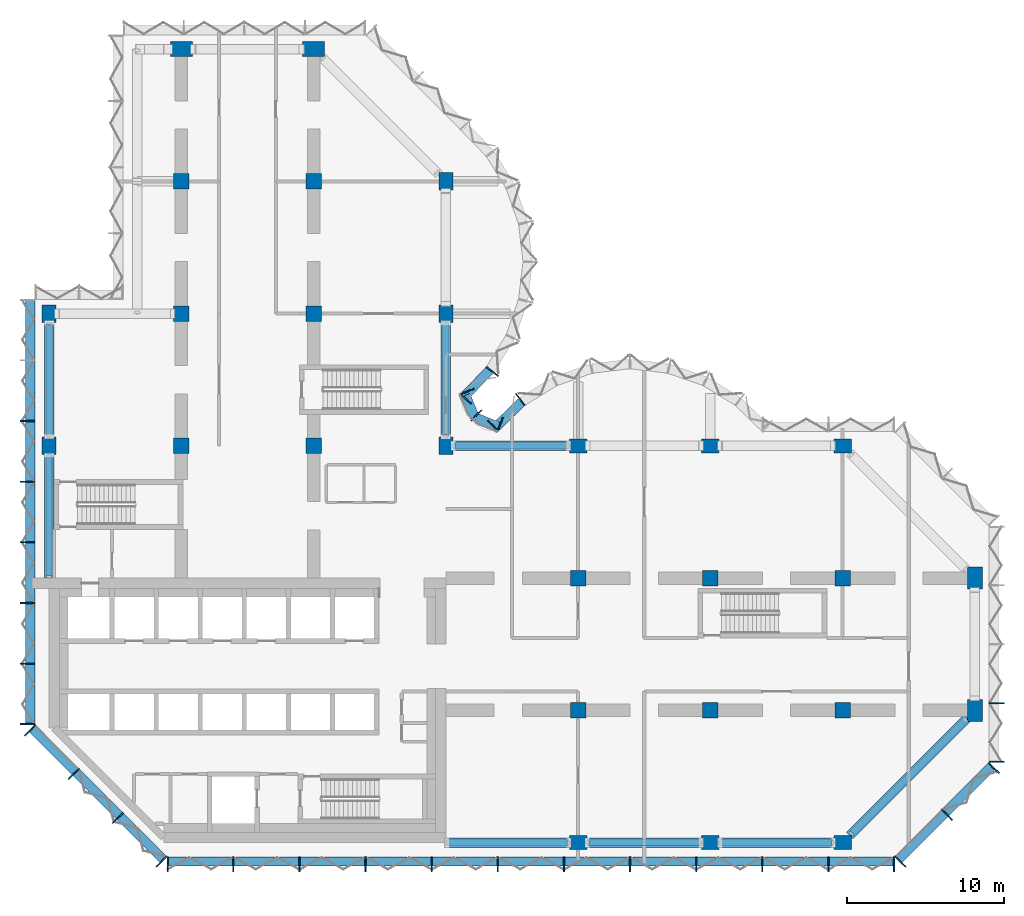
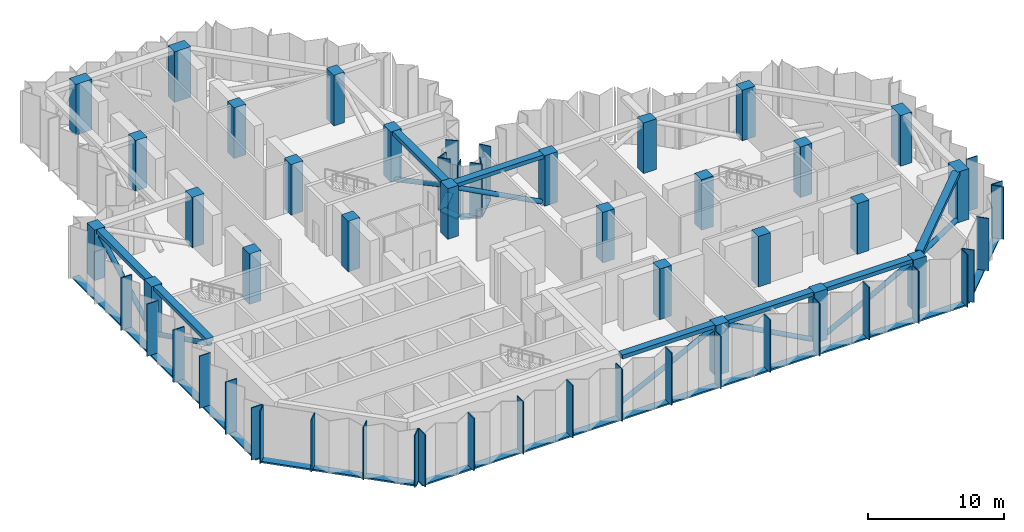
# One storey, part 1 of 13: 50 members, 27 columns, 8 beams, 8 elements without a shape of their own.
"""IFC4 building model written with IfcOpenShell, lengths in metres."""

from ifc_helpers import new_model, si_unit, direction, frame, origin, origin_2d, place, context, subcontext, project, spatial, rectangle, hollow_circle, extrude, material, material_profile, profile_set, type_object, element, aggregate, save


model = new_model("IFC4")

# Units and contexts
model_context = context("Model", 3, precision=1e-05, world=origin(), true_north=direction((0.0, 1.0)))
body_context = subcontext(model_context, "Body", "Model", "MODEL_VIEW")
ifc_project = project(units=[si_unit("LENGTHUNIT", "METRE"), si_unit("AREAUNIT", "SQUARE_METRE"), si_unit("VOLUMEUNIT", "CUBIC_METRE"), si_unit("PLANEANGLEUNIT", "RADIAN"), si_unit("MASSUNIT", "GRAM", prefix="KILO")], contexts=[model_context])

# Site, building, storey
site_placement = place(None, origin())
site = spatial("IfcSite", under=ifc_project, at=site_placement, CompositionType="ELEMENT")
building_placement = place(site_placement, origin())
building = spatial("IfcBuilding", under=site, at=building_placement, Name="Brevane Broadcast Tower", CompositionType="ELEMENT")
storey_placement = place(building_placement, frame((0.0, 0.0, 162.0)))
storey = spatial("IfcBuildingStorey", under=building, at=storey_placement, Name="L40", CompositionType="ELEMENT", Elevation=162.0)

# Columns
ifc_material_1 = material(Name="Concrete C60/75", Category="concrete")
ifc_material_profile_1 = material_profile(ifc_material_1, rectangle(XDim=0.89990234375, YDim=1.10009765625, at=origin_2d()), Name="RC 900x1100")
ifc_profile_set_1 = profile_set([ifc_material_profile_1], Name="Concrete C60/75")
column_type_1 = type_object("IfcColumnType", Name="RC COLUMN EDGE 900x1100 C60/75", PredefinedType="COLUMN", material=ifc_profile_set_1)
for number, where, z_axis, x_axis, name in (
    (1, (0.0, 25.199951171875, 0.0), (0.0, 0.0, 1.0), (1.0, 0.0, 0.0), "CE11 1/D"),
    (2, (0.0, 33.60009765625, 0.0), (0.0, 0.0, 1.0), (1.0, 0.0, 0.0), "CE11 1/E"),
    (3, (25.199951171875, 25.199951171875, 0.0), (0.0, 0.0, 1.0), (1.0, 0.0, 0.0), "CE11 4/D"),
    (4, (25.199951171875, 33.60009765625, 0.0), (0.0, 0.0, 1.0), (1.0, 0.0, 0.0), "CE11 4/E"),
    (5, (25.199951171875, 42.0, 0.0), (0.0, 0.0, 1.0), (1.0, 0.0, 0.0), "CE11 4/F"),
    (6, (33.60009765625, 0.0, 0.0), (0.0, 0.0, 1.0), (0.0, 1.0, 0.0), "CE11 5/A"),
    (7, (33.60009765625, 25.199951171875, 0.0), (0.0, 0.0, 1.0), (0.0, 1.0, 0.0), "CE11 5/D"),
    (8, (42.0, 0.0, 0.0), (0.0, 0.0, 1.0), (0.0, 1.0, 0.0), "CE11 6/A"),
    (9, (42.0, 25.199951171875, 0.0), (0.0, 0.0, 1.0), (0.0, 1.0, 0.0), "CE11 6/D"),
    (10, (50.39990234375, 0.0, 0.0), (0.0, 0.0, 1.0), (0.0, 1.0, 0.0), "CE11 7/A"),
    (11, (50.39990234375, 25.199951171875, 0.0), (0.0, 0.0, 1.0), (0.0, 1.0, 0.0), "CE11 7/D"),
):
    element("IfcColumn", number, at=place(storey_placement, frame(where, z_axis=z_axis, x_axis=x_axis)), inside=storey, type_object=column_type_1, Name=name, PredefinedType="COLUMN", context=body_context, shape_type="SweptSolid", body=[
        extrude(rectangle(XDim=0.89990234375, YDim=1.10009765625, at=origin_2d()), origin(), (0.0, 0.0, 1.0), 4.550048828125),
    ])
ifc_material_profile_2 = material_profile(ifc_material_1, rectangle(XDim=1.0, YDim=1.0, at=origin_2d()), Name="RC 1000x1000")
ifc_profile_set_2 = profile_set([ifc_material_profile_2], Name="Concrete C60/75")
column_type_2 = type_object("IfcColumnType", Name="RC COLUMN INTERIOR 1000x1000 C60/75", PredefinedType="COLUMN", material=ifc_profile_set_2)
for number, where, z_axis, x_axis, name in (
    (12, (8.39990234375, 25.199951171875, 0.0), (0.0, 0.0, 1.0), (1.0, 0.0, 0.0), "CI12 2/D"),
    (13, (8.39990234375, 33.60009765625, 0.0), (0.0, 0.0, 1.0), (1.0, 0.0, 0.0), "CI12 2/E"),
    (14, (8.39990234375, 42.0, 0.0), (0.0, 0.0, 1.0), (1.0, 0.0, 0.0), "CI12 2/F"),
    (15, (16.800048828125, 25.199951171875, 0.0), (0.0, 0.0, 1.0), (1.0, 0.0, 0.0), "CI12 3/D"),
    (16, (16.800048828125, 33.60009765625, 0.0), (0.0, 0.0, 1.0), (1.0, 0.0, 0.0), "CI12 3/E"),
    (17, (16.800048828125, 42.0, 0.0), (0.0, 0.0, 1.0), (1.0, 0.0, 0.0), "CI12 3/F"),
    (18, (33.60009765625, 8.39990234375, 0.0), (0.0, 0.0, 1.0), (1.0, 0.0, 0.0), "CI12 5/B"),
    (19, (33.60009765625, 16.800048828125, 0.0), (0.0, 0.0, 1.0), (1.0, 0.0, 0.0), "CI12 5/C"),
    (20, (42.0, 8.39990234375, 0.0), (0.0, 0.0, 1.0), (1.0, 0.0, 0.0), "CI12 6/B"),
    (21, (42.0, 16.800048828125, 0.0), (0.0, 0.0, 1.0), (1.0, 0.0, 0.0), "CI12 6/C"),
    (22, (50.39990234375, 8.39990234375, 0.0), (0.0, 0.0, 1.0), (1.0, 0.0, 0.0), "CI12 7/B"),
    (23, (50.39990234375, 16.800048828125, 0.0), (0.0, 0.0, 1.0), (1.0, 0.0, 0.0), "CI12 7/C"),
):
    element("IfcColumn", number, at=place(storey_placement, frame(where, z_axis=z_axis, x_axis=x_axis)), inside=storey, type_object=column_type_2, Name=name, PredefinedType="COLUMN", context=body_context, shape_type="SweptSolid", body=[
        extrude(rectangle(XDim=1.0, YDim=1.0, at=origin_2d()), origin(), (0.0, 0.0, 1.0), 4.550048828125),
    ])
ifc_material_profile_3 = material_profile(ifc_material_1, rectangle(XDim=0.949951171875, YDim=1.39990234375, at=origin_2d()), Name="RC 950x1400")
ifc_profile_set_3 = profile_set([ifc_material_profile_3], Name="Concrete C60/75")
column_type_3 = type_object("IfcColumnType", Name="RC COLUMN WING-END 950x1400 C60/75", PredefinedType="COLUMN", material=ifc_profile_set_3)
for number, where, z_axis, x_axis, name in (
    (24, (8.39990234375, 50.39990234375, 0.0), (0.0, 0.0, 1.0), (0.0, 1.0, 0.0), "CW13 2/G"),
    (25, (16.800048828125, 50.39990234375, 0.0), (0.0, 0.0, 1.0), (0.0, 1.0, 0.0), "CW13 3/G"),
    (26, (58.800048828125, 8.39990234375, 0.0), (0.0, 0.0, 1.0), (1.0, 0.0, 0.0), "CW13 8/B"),
    (27, (58.800048828125, 16.800048828125, 0.0), (0.0, 0.0, 1.0), (1.0, 0.0, 0.0), "CW13 8/C"),
):
    element("IfcColumn", number, at=place(storey_placement, frame(where, z_axis=z_axis, x_axis=x_axis)), inside=storey, type_object=column_type_3, Name=name, PredefinedType="COLUMN", context=body_context, shape_type="SweptSolid", body=[
        extrude(rectangle(XDim=0.949951171875, YDim=1.39990234375, at=origin_2d()), origin(), (0.0, 0.0, 1.0), 4.550048828125),
    ])

# Curtain wall, members
ifc_material_2 = material(Name="Aluminium 6063-T6 bronze anodised", Category="aluminium")
curtain_wall_type = type_object("IfcCurtainWallType", Name="CW-3 curtain wall", PredefinedType="NOTDEFINED", material=ifc_material_2)
curtain_wall_1_placement = place(storey_placement, origin())
curtain_wall_1 = element("IfcCurtainWall", 28, at=curtain_wall_1_placement, inside=storey, type_object=curtain_wall_type, Name="CW-3 refuge louvre unit L40 south face", PredefinedType="NOTDEFINED")
ifc_material_profile_4 = material_profile(ifc_material_2, rectangle(XDim=0.949951171875, YDim=0.080078125, at=origin_2d()), Name="RECT 80x950")
ifc_profile_set_4 = profile_set([ifc_material_profile_4], Name="Aluminium 6063-T6 bronze anodised")
member_type_1 = type_object("IfcMemberType", Name="CW-3 mullion 80x950", PredefinedType="MULLION", material=ifc_profile_set_4)
member_1_placement = place(storey_placement, frame((7.5400390625, -1.375, -0.159912109375), z_axis=(0.0, 0.0, 1.0), x_axis=(0.0, 1.0, 0.0)))
member_1 = element("IfcMember", 29, at=member_1_placement, type_object=member_type_1, Name="CW-3 mullion", PredefinedType="MULLION", context=body_context, shape_type="SweptSolid", body=[
    extrude(rectangle(XDim=0.949951171875, YDim=0.080078125, at=origin_2d()), origin(), (0.0, 0.0, 1.0), 4.7099609375),
])
member_2_placement = place(storey_placement, frame((11.699951171875, -1.375, -0.159912109375), z_axis=(0.0, 0.0, 1.0), x_axis=(0.0, 1.0, 0.0)))
member_2 = element("IfcMember", 30, at=member_2_placement, type_object=member_type_1, Name="CW-3 mullion", PredefinedType="MULLION", context=body_context, shape_type="SweptSolid", body=[
    extrude(rectangle(XDim=0.949951171875, YDim=0.080078125, at=origin_2d()), origin(), (0.0, 0.0, 1.0), 4.7099609375),
])
member_3_placement = place(storey_placement, frame((15.89990234375, -1.375, -0.159912109375), z_axis=(0.0, 0.0, 1.0), x_axis=(0.0, 1.0, 0.0)))
member_3 = element("IfcMember", 31, at=member_3_placement, type_object=member_type_1, Name="CW-3 mullion", PredefinedType="MULLION", context=body_context, shape_type="SweptSolid", body=[
    extrude(rectangle(XDim=0.949951171875, YDim=0.080078125, at=origin_2d()), origin(), (0.0, 0.0, 1.0), 4.7099609375),
])
member_4_placement = place(storey_placement, frame((20.10009765625, -1.375, -0.159912109375), z_axis=(0.0, 0.0, 1.0), x_axis=(0.0, 1.0, 0.0)))
member_4 = element("IfcMember", 32, at=member_4_placement, type_object=member_type_1, Name="CW-3 mullion", PredefinedType="MULLION", context=body_context, shape_type="SweptSolid", body=[
    extrude(rectangle(XDim=0.949951171875, YDim=0.080078125, at=origin_2d()), origin(), (0.0, 0.0, 1.0), 4.7099609375),
])
member_5_placement = place(storey_placement, frame((24.300048828125, -1.375, -0.159912109375), z_axis=(0.0, 0.0, 1.0), x_axis=(0.0, 1.0, 0.0)))
member_5 = element("IfcMember", 33, at=member_5_placement, type_object=member_type_1, Name="CW-3 mullion", PredefinedType="MULLION", context=body_context, shape_type="SweptSolid", body=[
    extrude(rectangle(XDim=0.949951171875, YDim=0.080078125, at=origin_2d()), origin(), (0.0, 0.0, 1.0), 4.7099609375),
])
member_6_placement = place(storey_placement, frame((28.5, -1.375, -0.159912109375), z_axis=(0.0, 0.0, 1.0), x_axis=(0.0, 1.0, 0.0)))
member_6 = element("IfcMember", 34, at=member_6_placement, type_object=member_type_1, Name="CW-3 mullion", PredefinedType="MULLION", context=body_context, shape_type="SweptSolid", body=[
    extrude(rectangle(XDim=0.949951171875, YDim=0.080078125, at=origin_2d()), origin(), (0.0, 0.0, 1.0), 4.7099609375),
])
member_7_placement = place(storey_placement, frame((32.699951171875, -1.375, -0.159912109375), z_axis=(0.0, 0.0, 1.0), x_axis=(0.0, 1.0, 0.0)))
member_7 = element("IfcMember", 35, at=member_7_placement, type_object=member_type_1, Name="CW-3 mullion", PredefinedType="MULLION", context=body_context, shape_type="SweptSolid", body=[
    extrude(rectangle(XDim=0.949951171875, YDim=0.080078125, at=origin_2d()), origin(), (0.0, 0.0, 1.0), 4.7099609375),
])
member_8_placement = place(storey_placement, frame((36.89990234375, -1.375, -0.159912109375), z_axis=(0.0, 0.0, 1.0), x_axis=(0.0, 1.0, 0.0)))
member_8 = element("IfcMember", 36, at=member_8_placement, type_object=member_type_1, Name="CW-3 mullion", PredefinedType="MULLION", context=body_context, shape_type="SweptSolid", body=[
    extrude(rectangle(XDim=0.949951171875, YDim=0.080078125, at=origin_2d()), origin(), (0.0, 0.0, 1.0), 4.7099609375),
])
member_9_placement = place(storey_placement, frame((41.10009765625, -1.375, -0.159912109375), z_axis=(0.0, 0.0, 1.0), x_axis=(0.0, 1.0, 0.0)))
member_9 = element("IfcMember", 37, at=member_9_placement, type_object=member_type_1, Name="CW-3 mullion", PredefinedType="MULLION", context=body_context, shape_type="SweptSolid", body=[
    extrude(rectangle(XDim=0.949951171875, YDim=0.080078125, at=origin_2d()), origin(), (0.0, 0.0, 1.0), 4.7099609375),
])
member_10_placement = place(storey_placement, frame((45.300048828125, -1.375, -0.159912109375), z_axis=(0.0, 0.0, 1.0), x_axis=(0.0, 1.0, 0.0)))
member_10 = element("IfcMember", 38, at=member_10_placement, type_object=member_type_1, Name="CW-3 mullion", PredefinedType="MULLION", context=body_context, shape_type="SweptSolid", body=[
    extrude(rectangle(XDim=0.949951171875, YDim=0.080078125, at=origin_2d()), origin(), (0.0, 0.0, 1.0), 4.7099609375),
])
member_11_placement = place(storey_placement, frame((49.5, -1.375, -0.159912109375), z_axis=(0.0, 0.0, 1.0), x_axis=(0.0, 1.0, 0.0)))
member_11 = element("IfcMember", 39, at=member_11_placement, type_object=member_type_1, Name="CW-3 mullion", PredefinedType="MULLION", context=body_context, shape_type="SweptSolid", body=[
    extrude(rectangle(XDim=0.949951171875, YDim=0.080078125, at=origin_2d()), origin(), (0.0, 0.0, 1.0), 4.7099609375),
])
member_12_placement = place(storey_placement, frame((53.659912109375, -1.375, -0.159912109375), z_axis=(0.0, 0.0, 1.0), x_axis=(0.0, 1.0, 0.0)))
member_12 = element("IfcMember", 40, at=member_12_placement, type_object=member_type_1, Name="CW-3 mullion", PredefinedType="MULLION", context=body_context, shape_type="SweptSolid", body=[
    extrude(rectangle(XDim=0.949951171875, YDim=0.080078125, at=origin_2d()), origin(), (0.0, 0.0, 1.0), 4.7099609375),
])

curtain_wall_2_placement = place(storey_placement, origin())
curtain_wall_2 = element("IfcCurtainWall", 41, at=curtain_wall_2_placement, inside=storey, type_object=curtain_wall_type, Name="CW-3 refuge louvre unit L40 south-east chamfer", PredefinedType="NOTDEFINED")
member_13_placement = place(storey_placement, frame((54.064208984375, -1.20751953125, -0.159912109375), z_axis=(0.0, 0.0, 1.0), x_axis=(-0.707106781187, 0.707106781187, 0.0)))
member_13 = element("IfcMember", 42, at=member_13_placement, type_object=member_type_1, Name="CW-3 mullion", PredefinedType="MULLION", context=body_context, shape_type="SweptSolid", body=[
    extrude(rectangle(XDim=0.949951171875, YDim=0.080078125, at=origin_2d()), origin(), (0.0, 0.0, 1.0), 4.7099609375),
])
member_14_placement = place(storey_placement, frame((57.035888671875, 1.76416015625, -0.159912109375), z_axis=(0.0, 0.0, 1.0), x_axis=(-0.707106781187, 0.707106781187, 0.0)))
member_14 = element("IfcMember", 43, at=member_14_placement, type_object=member_type_1, Name="CW-3 mullion", PredefinedType="MULLION", context=body_context, shape_type="SweptSolid", body=[
    extrude(rectangle(XDim=0.949951171875, YDim=0.080078125, at=origin_2d()), origin(), (0.0, 0.0, 1.0), 4.7099609375),
])
member_15_placement = place(storey_placement, frame((60.007568359375, 4.73583984375, -0.159912109375), z_axis=(0.0, 0.0, 1.0), x_axis=(-0.707106781187, 0.707106781187, 0.0)))
member_15 = element("IfcMember", 44, at=member_15_placement, type_object=member_type_1, Name="CW-3 mullion", PredefinedType="MULLION", context=body_context, shape_type="SweptSolid", body=[
    extrude(rectangle(XDim=0.949951171875, YDim=0.080078125, at=origin_2d()), origin(), (0.0, 0.0, 1.0), 4.7099609375),
])

curtain_wall_3_placement = place(storey_placement, origin())
curtain_wall_3 = element("IfcCurtainWall", 45, at=curtain_wall_3_placement, inside=storey, type_object=curtain_wall_type, Name="CW-3 refuge louvre unit L40 east end", PredefinedType="NOTDEFINED")
member_16_placement = place(storey_placement, frame((60.175048828125, 5.139892578125, -0.159912109375), z_axis=(0.0, 0.0, 1.0), x_axis=(-1.0, 0.0, 0.0)))
member_16 = element("IfcMember", 46, at=member_16_placement, type_object=member_type_1, Name="CW-3 mullion", PredefinedType="MULLION", context=body_context, shape_type="SweptSolid", body=[
    extrude(rectangle(XDim=0.949951171875, YDim=0.080078125, at=origin_2d()), origin(), (0.0, 0.0, 1.0), 4.7099609375),
])
member_17_placement = place(storey_placement, frame((60.175048828125, 8.85009765625, -0.159912109375), z_axis=(0.0, 0.0, 1.0), x_axis=(-1.0, 0.0, 0.0)))
member_17 = element("IfcMember", 47, at=member_17_placement, type_object=member_type_1, Name="CW-3 mullion", PredefinedType="MULLION", context=body_context, shape_type="SweptSolid", body=[
    extrude(rectangle(XDim=0.949951171875, YDim=0.080078125, at=origin_2d()), origin(), (0.0, 0.0, 1.0), 4.7099609375),
])
aggregate(curtain_wall_3, [member_16, member_17])

curtain_wall_4_placement = place(storey_placement, origin())
curtain_wall_4 = element("IfcCurtainWall", 48, at=curtain_wall_4_placement, inside=storey, type_object=curtain_wall_type, Name="CW-3 refuge louvre unit L40 east bow", PredefinedType="NOTDEFINED")
member_18_placement = place(storey_placement, frame((29.927978515625, 28.1455078125, -0.159912109375), z_axis=(0.0, 0.0, 1.0), x_axis=(0.614769698862, -0.788706673841, 0.0)))
member_18 = element("IfcMember", 49, at=member_18_placement, type_object=member_type_1, Name="CW-3 mullion", PredefinedType="MULLION", context=body_context, shape_type="SweptSolid", body=[
    extrude(rectangle(XDim=0.949951171875, YDim=0.080078125, at=origin_2d()), origin(), (0.0, 0.0, 1.0), 4.7099609375),
])
member_19_placement = place(storey_placement, frame((28.19775390625, 26.468505859375, -0.159912109375), z_axis=(0.0, 0.0, 1.0), x_axis=(0.696812089895, -0.717253728729, 0.0)))
member_19 = element("IfcMember", 50, at=member_19_placement, type_object=member_type_1, Name="CW-3 mullion", PredefinedType="MULLION", context=body_context, shape_type="SweptSolid", body=[
    extrude(rectangle(XDim=0.949951171875, YDim=0.080078125, at=origin_2d()), origin(), (0.0, 0.0, 1.0), 4.7099609375),
])

curtain_wall_5_placement = place(storey_placement, origin())
curtain_wall_5 = element("IfcCurtainWall", 51, at=curtain_wall_5_placement, inside=storey, type_object=curtain_wall_type, Name="CW-3 refuge louvre unit L40 inner corner", PredefinedType="NOTDEFINED")
member_20_placement = place(storey_placement, frame((28.644775390625, 26.55419921875, -0.159912109375), z_axis=(0.0, 0.0, 1.0), x_axis=(-0.382683432365, -0.923879532511, 0.0)))
member_20 = element("IfcMember", 52, at=member_20_placement, type_object=member_type_1, Name="CW-3 mullion", PredefinedType="MULLION", context=body_context, shape_type="SweptSolid", body=[
    extrude(rectangle(XDim=0.949951171875, YDim=0.080078125, at=origin_2d()), origin(), (0.0, 0.0, 1.0), 4.7099609375),
])
member_21_placement = place(storey_placement, frame((27.138916015625, 27.138916015625, -0.159912109375), z_axis=(0.0, 0.0, 1.0), x_axis=(-0.707106781187, -0.707106781187, 0.0)))
member_21 = element("IfcMember", 53, at=member_21_placement, type_object=member_type_1, Name="CW-3 mullion", PredefinedType="MULLION", context=body_context, shape_type="SweptSolid", body=[
    extrude(rectangle(XDim=0.949951171875, YDim=0.080078125, at=origin_2d()), origin(), (0.0, 0.0, 1.0), 4.7099609375),
])
member_22_placement = place(storey_placement, frame((26.55419921875, 28.644775390625, -0.159912109375), z_axis=(0.0, 0.0, 1.0), x_axis=(-0.923879532511, -0.382683432365, 0.0)))
member_22 = element("IfcMember", 54, at=member_22_placement, type_object=member_type_1, Name="CW-3 mullion", PredefinedType="MULLION", context=body_context, shape_type="SweptSolid", body=[
    extrude(rectangle(XDim=0.949951171875, YDim=0.080078125, at=origin_2d()), origin(), (0.0, 0.0, 1.0), 4.7099609375),
])

curtain_wall_6_placement = place(storey_placement, origin())
curtain_wall_6 = element("IfcCurtainWall", 55, at=curtain_wall_6_placement, inside=storey, type_object=curtain_wall_type, Name="CW-3 refuge louvre unit L40 north bow", PredefinedType="NOTDEFINED")
member_23_placement = place(storey_placement, frame((26.468505859375, 28.19775390625, -0.159912109375), z_axis=(0.0, 0.0, 1.0), x_axis=(-0.717253728729, 0.696812089895, 0.0)))
member_23 = element("IfcMember", 56, at=member_23_placement, type_object=member_type_1, Name="CW-3 mullion", PredefinedType="MULLION", context=body_context, shape_type="SweptSolid", body=[
    extrude(rectangle(XDim=0.949951171875, YDim=0.080078125, at=origin_2d()), origin(), (0.0, 0.0, 1.0), 4.7099609375),
])
member_24_placement = place(storey_placement, frame((28.1455078125, 29.927978515625, -0.159912109375), z_axis=(0.0, 0.0, 1.0), x_axis=(-0.788706673841, 0.614769698862, 0.0)))
member_24 = element("IfcMember", 57, at=member_24_placement, type_object=member_type_1, Name="CW-3 mullion", PredefinedType="MULLION", context=body_context, shape_type="SweptSolid", body=[
    extrude(rectangle(XDim=0.949951171875, YDim=0.080078125, at=origin_2d()), origin(), (0.0, 0.0, 1.0), 4.7099609375),
])

curtain_wall_7_placement = place(storey_placement, origin())
curtain_wall_7 = element("IfcCurtainWall", 58, at=curtain_wall_7_placement, inside=storey, type_object=curtain_wall_type, Name="CW-3 refuge louvre unit L40 west face", PredefinedType="NOTDEFINED")
member_25_placement = place(storey_placement, frame((-1.375, 26.78564453125, -0.159912109375), z_axis=(0.0, 0.0, 1.0), x_axis=(1.0, 0.0, 0.0)))
member_25 = element("IfcMember", 59, at=member_25_placement, type_object=member_type_1, Name="CW-3 mullion", PredefinedType="MULLION", context=body_context, shape_type="SweptSolid", body=[
    extrude(rectangle(XDim=0.949951171875, YDim=0.080078125, at=origin_2d()), origin(), (0.0, 0.0, 1.0), 4.7099609375),
])
member_26_placement = place(storey_placement, frame((-1.375, 22.928466796875, -0.159912109375), z_axis=(0.0, 0.0, 1.0), x_axis=(1.0, 0.0, 0.0)))
member_26 = element("IfcMember", 60, at=member_26_placement, type_object=member_type_1, Name="CW-3 mullion", PredefinedType="MULLION", context=body_context, shape_type="SweptSolid", body=[
    extrude(rectangle(XDim=0.949951171875, YDim=0.080078125, at=origin_2d()), origin(), (0.0, 0.0, 1.0), 4.7099609375),
])
member_27_placement = place(storey_placement, frame((-1.375, 19.071533203125, -0.159912109375), z_axis=(0.0, 0.0, 1.0), x_axis=(1.0, 0.0, 0.0)))
member_27 = element("IfcMember", 61, at=member_27_placement, type_object=member_type_1, Name="CW-3 mullion", PredefinedType="MULLION", context=body_context, shape_type="SweptSolid", body=[
    extrude(rectangle(XDim=0.949951171875, YDim=0.080078125, at=origin_2d()), origin(), (0.0, 0.0, 1.0), 4.7099609375),
])
member_28_placement = place(storey_placement, frame((-1.375, 15.21435546875, -0.159912109375), z_axis=(0.0, 0.0, 1.0), x_axis=(1.0, 0.0, 0.0)))
member_28 = element("IfcMember", 62, at=member_28_placement, type_object=member_type_1, Name="CW-3 mullion", PredefinedType="MULLION", context=body_context, shape_type="SweptSolid", body=[
    extrude(rectangle(XDim=0.949951171875, YDim=0.080078125, at=origin_2d()), origin(), (0.0, 0.0, 1.0), 4.7099609375),
])
member_29_placement = place(storey_placement, frame((-1.375, 11.357177734375, -0.159912109375), z_axis=(0.0, 0.0, 1.0), x_axis=(1.0, 0.0, 0.0)))
member_29 = element("IfcMember", 63, at=member_29_placement, type_object=member_type_1, Name="CW-3 mullion", PredefinedType="MULLION", context=body_context, shape_type="SweptSolid", body=[
    extrude(rectangle(XDim=0.949951171875, YDim=0.080078125, at=origin_2d()), origin(), (0.0, 0.0, 1.0), 4.7099609375),
])
member_30_placement = place(storey_placement, frame((-1.375, 7.5400390625, -0.159912109375), z_axis=(0.0, 0.0, 1.0), x_axis=(1.0, 0.0, 0.0)))
member_30 = element("IfcMember", 64, at=member_30_placement, type_object=member_type_1, Name="CW-3 mullion", PredefinedType="MULLION", context=body_context, shape_type="SweptSolid", body=[
    extrude(rectangle(XDim=0.949951171875, YDim=0.080078125, at=origin_2d()), origin(), (0.0, 0.0, 1.0), 4.7099609375),
])

curtain_wall_8_placement = place(storey_placement, origin())
curtain_wall_8 = element("IfcCurtainWall", 65, at=curtain_wall_8_placement, inside=storey, type_object=curtain_wall_type, Name="CW-3 refuge louvre unit L40 south-west chamfer", PredefinedType="NOTDEFINED")
member_31_placement = place(storey_placement, frame((-1.20751953125, 7.1357421875, -0.159912109375), z_axis=(0.0, 0.0, 1.0), x_axis=(0.707106781187, 0.707106781187, 0.0)))
member_31 = element("IfcMember", 66, at=member_31_placement, type_object=member_type_1, Name="CW-3 mullion", PredefinedType="MULLION", context=body_context, shape_type="SweptSolid", body=[
    extrude(rectangle(XDim=0.949951171875, YDim=0.080078125, at=origin_2d()), origin(), (0.0, 0.0, 1.0), 4.7099609375),
])
member_32_placement = place(storey_placement, frame((1.564208984375, 4.364013671875, -0.159912109375), z_axis=(0.0, 0.0, 1.0), x_axis=(0.707106781187, 0.707106781187, 0.0)))
member_32 = element("IfcMember", 67, at=member_32_placement, type_object=member_type_1, Name="CW-3 mullion", PredefinedType="MULLION", context=body_context, shape_type="SweptSolid", body=[
    extrude(rectangle(XDim=0.949951171875, YDim=0.080078125, at=origin_2d()), origin(), (0.0, 0.0, 1.0), 4.7099609375),
])
member_33_placement = place(storey_placement, frame((4.364013671875, 1.564208984375, -0.159912109375), z_axis=(0.0, 0.0, 1.0), x_axis=(0.707106781187, 0.707106781187, 0.0)))
member_33 = element("IfcMember", 68, at=member_33_placement, type_object=member_type_1, Name="CW-3 mullion", PredefinedType="MULLION", context=body_context, shape_type="SweptSolid", body=[
    extrude(rectangle(XDim=0.949951171875, YDim=0.080078125, at=origin_2d()), origin(), (0.0, 0.0, 1.0), 4.7099609375),
])
member_34_placement = place(storey_placement, frame((7.1357421875, -1.20751953125, -0.159912109375), z_axis=(0.0, 0.0, 1.0), x_axis=(0.707106781187, 0.707106781187, 0.0)))
member_34 = element("IfcMember", 69, at=member_34_placement, type_object=member_type_1, Name="CW-3 mullion", PredefinedType="MULLION", context=body_context, shape_type="SweptSolid", body=[
    extrude(rectangle(XDim=0.949951171875, YDim=0.080078125, at=origin_2d()), origin(), (0.0, 0.0, 1.0), 4.7099609375),
])

# Member
ifc_material_profile_5 = material_profile(ifc_material_2, rectangle(XDim=0.60009765625, YDim=0.139892578125, at=origin_2d()), Name="RECT 140x600")
ifc_profile_set_5 = profile_set([ifc_material_profile_5], Name="Aluminium 6063-T6 bronze anodised")
member_type_2 = type_object("IfcMemberType", Name="CW-3 transom 140x600", PredefinedType="USERDEFINED", material=ifc_profile_set_5)
member_35_placement = place(storey_placement, frame((7.5, -1.199951171875, -0.22998046875), z_axis=(1.0, 0.0, 0.0), x_axis=(0.0, 1.0, 0.0)))
member_35 = element("IfcMember", 70, at=member_35_placement, type_object=member_type_2, Name="CW-3 transom", ObjectType="TRANSOM", PredefinedType="USERDEFINED", context=body_context, shape_type="SweptSolid", body=[
    extrude(rectangle(XDim=0.60009765625, YDim=0.139892578125, at=origin_2d()), origin(), (0.0, 0.0, 1.0), 46.199951171875),
])

aggregate(curtain_wall_1, [member_1, member_2, member_3, member_4, member_5, member_6, member_7, member_8, member_9, member_10, member_11, member_12, member_35])

member_36_placement = place(storey_placement, frame((53.912109375, -1.112060546875, -0.22998046875), z_axis=(0.707106781187, 0.707106781187, 0.0), x_axis=(-0.707106781187, 0.707106781187, 0.0)))
member_36 = element("IfcMember", 71, at=member_36_placement, type_object=member_type_2, Name="CW-3 transom", ObjectType="TRANSOM", PredefinedType="USERDEFINED", context=body_context, shape_type="SweptSolid", body=[
    extrude(rectangle(XDim=0.60009765625, YDim=0.139892578125, at=origin_2d()), origin(), (0.0, 0.0, 1.0), 8.4853515625),
])

aggregate(curtain_wall_2, [member_13, member_14, member_15, member_36])

member_37_placement = place(storey_placement, frame((29.99951171875, 27.974365234375, -0.22998046875), z_axis=(-0.71724215871, -0.696823999134, 0.0), x_axis=(0.696823999134, -0.71724215871, 0.0)))
member_37 = element("IfcMember", 72, at=member_37_placement, type_object=member_type_2, Name="CW-3 transom", ObjectType="TRANSOM", PredefinedType="USERDEFINED", context=body_context, shape_type="SweptSolid", body=[
    extrude(rectangle(XDim=0.60009765625, YDim=0.139892578125, at=origin_2d()), origin(), (0.0, 0.0, 1.0), 2.247802734375),
])

aggregate(curtain_wall_4, [member_18, member_19, member_37])

member_38_placement = place(storey_placement, frame((28.528076171875, 26.40673828125, -0.22998046875), z_axis=(-0.923883243627, 0.382674472816, 0.0), x_axis=(-0.382674472816, -0.923883243627, 0.0)))
member_38 = element("IfcMember", 73, at=member_38_placement, type_object=member_type_2, Name="CW-3 transom", ObjectType="TRANSOM", PredefinedType="USERDEFINED", context=body_context, shape_type="SweptSolid", body=[
    extrude(rectangle(XDim=0.60009765625, YDim=0.139892578125, at=origin_2d()), origin(), (0.0, 0.0, 1.0), 1.536865234375),
])

member_39_placement = place(storey_placement, frame((27.039794921875, 27.0, -0.22998046875), z_axis=(-0.382674472816, 0.923883243627, 0.0), x_axis=(-0.923883243627, -0.382674472816, 0.0)))
member_39 = element("IfcMember", 74, at=member_39_placement, type_object=member_type_2, Name="CW-3 transom", ObjectType="TRANSOM", PredefinedType="USERDEFINED", context=body_context, shape_type="SweptSolid", body=[
    extrude(rectangle(XDim=0.60009765625, YDim=0.139892578125, at=origin_2d()), origin(), (0.0, 0.0, 1.0), 1.536865234375),
])

aggregate(curtain_wall_5, [member_20, member_21, member_22, member_38, member_39])

member_40_placement = place(storey_placement, frame((26.407958984375, 28.38720703125, -0.22998046875), z_axis=(0.696823999134, 0.71724215871, 0.0), x_axis=(-0.71724215871, 0.696823999134, 0.0)))
member_40 = element("IfcMember", 75, at=member_40_placement, type_object=member_type_2, Name="CW-3 transom", ObjectType="TRANSOM", PredefinedType="USERDEFINED", context=body_context, shape_type="SweptSolid", body=[
    extrude(rectangle(XDim=0.60009765625, YDim=0.139892578125, at=origin_2d()), origin(), (0.0, 0.0, 1.0), 2.247802734375),
])

aggregate(curtain_wall_6, [member_23, member_24, member_40])

member_41_placement = place(storey_placement, frame((-1.199951171875, 34.5, -0.22998046875), z_axis=(0.0, -1.0, 0.0), x_axis=(1.0, 0.0, 0.0)))
member_41 = element("IfcMember", 76, at=member_41_placement, type_object=member_type_2, Name="CW-3 transom", ObjectType="TRANSOM", PredefinedType="USERDEFINED", context=body_context, shape_type="SweptSolid", body=[
    extrude(rectangle(XDim=0.60009765625, YDim=0.139892578125, at=origin_2d()), origin(), (0.0, 0.0, 1.0), 27.0),
])

aggregate(curtain_wall_7, [member_25, member_26, member_27, member_28, member_29, member_30, member_41])

member_42_placement = place(storey_placement, frame((-1.112060546875, 7.287841796875, -0.22998046875), z_axis=(0.707106781187, -0.707106781187, 0.0), x_axis=(0.707106781187, 0.707106781187, 0.0)))
member_42 = element("IfcMember", 77, at=member_42_placement, type_object=member_type_2, Name="CW-3 transom", ObjectType="TRANSOM", PredefinedType="USERDEFINED", context=body_context, shape_type="SweptSolid", body=[
    extrude(rectangle(XDim=0.60009765625, YDim=0.139892578125, at=origin_2d()), origin(), (0.0, 0.0, 1.0), 11.879150390625),
])

aggregate(curtain_wall_8, [member_31, member_32, member_33, member_34, member_42])

# Beams
ifc_material_3 = material(Name="Concrete C40/50", Category="concrete")
ifc_material_profile_6 = material_profile(ifc_material_3, rectangle(XDim=0.60009765625, YDim=0.35009765625, at=origin_2d()), Name="RC 600x350")
ifc_profile_set_6 = profile_set([ifc_material_profile_6], Name="Concrete C40/50")
beam_type = type_object("IfcBeamType", Name="RC SPANDREL BEAM 600x350 C40/50", PredefinedType="SPANDREL", material=ifc_profile_set_6)
beam_1_placement = place(storey_placement, frame((25.199951171875, 0.0, 4.375), z_axis=(1.0, 0.0, 0.0), x_axis=(0.0, 1.0, 0.0)))
element("IfcBeam", 78, at=beam_1_placement, inside=storey, type_object=beam_type, Name="EB1 L40-1", PredefinedType="SPANDREL", context=body_context, shape_type="SweptSolid", body=[
    extrude(rectangle(XDim=0.60009765625, YDim=0.35009765625, at=origin_2d()), origin(), (0.0, 0.0, 1.0), 7.85009765625),
])
for number, where, z_axis, x_axis, name in (
    (79, (34.14990234375, 0.0, 4.375), (1.0, 0.0, 0.0), (0.0, 1.0, 0.0), "EB1 L40-2"),
    (80, (42.550048828125, 0.0, 4.375), (1.0, 0.0, 0.0), (0.0, 1.0, 0.0), "EB1 L40-3"),
):
    element("IfcBeam", number, at=place(storey_placement, frame(where, z_axis=z_axis, x_axis=x_axis)), inside=storey, type_object=beam_type, Name=name, PredefinedType="SPANDREL", context=body_context, shape_type="SweptSolid", body=[
        extrude(rectangle(XDim=0.60009765625, YDim=0.35009765625, at=origin_2d()), origin(), (0.0, 0.0, 1.0), 7.300048828125),
    ])
beam_2_placement = place(storey_placement, frame((50.85009765625, 0.449951171875, 4.375), z_axis=(0.707095233664, 0.707118328521, 0.0), x_axis=(-0.707118328521, 0.707095233664, 0.0)))
element("IfcBeam", 81, at=beam_2_placement, inside=storey, type_object=beam_type, Name="EB1 L40-4", PredefinedType="SPANDREL", context=body_context, shape_type="SweptSolid", body=[
    extrude(rectangle(XDim=0.60009765625, YDim=0.35009765625, at=origin_2d()), origin(), (0.0, 0.0, 1.0), 10.5712890625),
])
beam_3_placement = place(storey_placement, frame((33.050048828125, 25.199951171875, 4.375), z_axis=(-1.0, 0.0, 0.0), x_axis=(0.0, -1.0, 0.0)))
element("IfcBeam", 82, at=beam_3_placement, inside=storey, type_object=beam_type, Name="EB1 L40-9", PredefinedType="SPANDREL", context=body_context, shape_type="SweptSolid", body=[
    extrude(rectangle(XDim=0.60009765625, YDim=0.35009765625, at=origin_2d()), origin(), (0.0, 0.0, 1.0), 7.400146484375),
])
for number, where, z_axis, x_axis, name in (
    (83, (25.199951171875, 25.75, 4.375), (0.0, 1.0, 0.0), (-1.0, 0.0, 0.0), "EB1 L40-10"),
    (84, (0.0, 33.050048828125, 4.375), (0.0, -1.0, 0.0), (1.0, 0.0, 0.0), "EB1 L40-14"),
):
    element("IfcBeam", number, at=place(storey_placement, frame(where, z_axis=z_axis, x_axis=x_axis)), inside=storey, type_object=beam_type, Name=name, PredefinedType="SPANDREL", context=body_context, shape_type="SweptSolid", body=[
        extrude(rectangle(XDim=0.60009765625, YDim=0.35009765625, at=origin_2d()), origin(), (0.0, 0.0, 1.0), 7.300048828125),
    ])
beam_4_placement = place(storey_placement, frame((0.0, 24.64990234375, 4.375), z_axis=(0.0, -1.0, 0.0), x_axis=(1.0, 0.0, 0.0)))
element("IfcBeam", 85, at=beam_4_placement, inside=storey, type_object=beam_type, Name="EB1 L40-15", PredefinedType="SPANDREL", context=body_context, shape_type="SweptSolid", body=[
    extrude(rectangle(XDim=0.60009765625, YDim=0.35009765625, at=origin_2d()), origin(), (0.0, 0.0, 1.0), 7.849853515625),
])

# Members
ifc_material_4 = material(Name="Steel S355", Category="steel")
ifc_material_profile_7 = material_profile(ifc_material_4, hollow_circle(Radius=0.203125, WallThickness=0.01611328125, at=origin_2d()), Name="CHS 406.4x16")
ifc_profile_set_7 = profile_set([ifc_material_profile_7], Name="Steel S355")
member_type_3 = type_object("IfcMemberType", Name="STEEL BELT TRUSS BRACE CHS 406.4x16 S355", PredefinedType="BRACE", material=ifc_profile_set_7)
member_43_placement = place(storey_placement, frame((25.29052734375, 0.0, 0.181884765625), z_axis=(0.895039430123, 0.0, 0.445987016095), x_axis=(0.0, 1.0, 0.0)))
element("IfcMember", 86, at=member_43_placement, inside=storey, type_object=member_type_3, Name="BT2 L40-1", PredefinedType="BRACE", context=body_context, shape_type="SweptSolid", body=[
    extrude(hollow_circle(Radius=0.203125, WallThickness=0.01611328125, at=origin_2d()), origin(), (0.0, 0.0, 1.0), 8.6015625),
])
for number, where, z_axis, x_axis, name in (
    (87, (41.384033203125, 0.0, 0.17919921875), (-0.881387126048, 0.0, 0.472394680364), (0.0, -1.0, 0.0), "BT2 L40-2"),
    (88, (42.615966796875, 0.0, 0.17919921875), (0.881387126048, 0.0, 0.472394680364), (0.0, 1.0, 0.0), "BT2 L40-3"),
):
    element("IfcMember", number, at=place(storey_placement, frame(where, z_axis=z_axis, x_axis=x_axis)), inside=storey, type_object=member_type_3, Name=name, PredefinedType="BRACE", context=body_context, shape_type="SweptSolid", body=[
        extrude(hollow_circle(Radius=0.203125, WallThickness=0.01611328125, at=origin_2d()), origin(), (0.0, 0.0, 1.0), 8.132568359375),
    ])
member_44_placement = place(storey_placement, frame((58.19873046875, 7.798583984375, 0.1904296875), z_axis=(-0.662327177408, -0.662304788631, 0.350250020734), x_axis=(0.707094829648, -0.707118732523, 0.0)))
element("IfcMember", 89, at=member_44_placement, inside=storey, type_object=member_type_3, Name="BT2 L40-4", PredefinedType="BRACE", context=body_context, shape_type="SweptSolid", body=[
    extrude(hollow_circle(Radius=0.203125, WallThickness=0.01611328125, at=origin_2d()), origin(), (0.0, 0.0, 1.0), 10.904541015625),
])
member_45_placement = place(storey_placement, frame((32.985107421875, 25.199951171875, 0.1796875), z_axis=(-0.884209349512, 0.0, 0.467090811551), x_axis=(0.0, -1.0, 0.0)))
element("IfcMember", 90, at=member_45_placement, inside=storey, type_object=member_type_3, Name="BT2 L40-9", PredefinedType="BRACE", context=body_context, shape_type="SweptSolid", body=[
    extrude(hollow_circle(Radius=0.203125, WallThickness=0.01611328125, at=origin_2d()), origin(), (0.0, 0.0, 1.0), 8.222412109375),
])
for number, where, z_axis, x_axis, name in (
    (91, (25.199951171875, 32.984130859375, 0.17919921875), (0.0, -0.881393824947, 0.472382181444), (1.0, 0.0, 0.0), "BT2 L40-10"),
    (92, (0.0, 25.81591796875, 0.17919921875), (0.0, 0.881393824947, 0.472382181444), (-1.0, 0.0, 0.0), "BT2 L40-14"),
):
    element("IfcMember", number, at=place(storey_placement, frame(where, z_axis=z_axis, x_axis=x_axis)), inside=storey, type_object=member_type_3, Name=name, PredefinedType="BRACE", context=body_context, shape_type="SweptSolid", body=[
        extrude(hollow_circle(Radius=0.203125, WallThickness=0.01611328125, at=origin_2d()), origin(), (0.0, 0.0, 1.0), 8.1328125),
    ])
member_46_placement = place(storey_placement, frame((0.0, 24.58935546875, 0.181884765625), z_axis=(0.0, -0.895039430123, 0.445987016095), x_axis=(1.0, 0.0, 0.0)))
element("IfcMember", 93, at=member_46_placement, inside=storey, type_object=member_type_3, Name="BT2 L40-15", PredefinedType="BRACE", context=body_context, shape_type="SweptSolid", body=[
    extrude(hollow_circle(Radius=0.203125, WallThickness=0.01611328125, at=origin_2d()), origin(), (0.0, 0.0, 1.0), 8.6015625),
])

save(model, "model.ifc")
